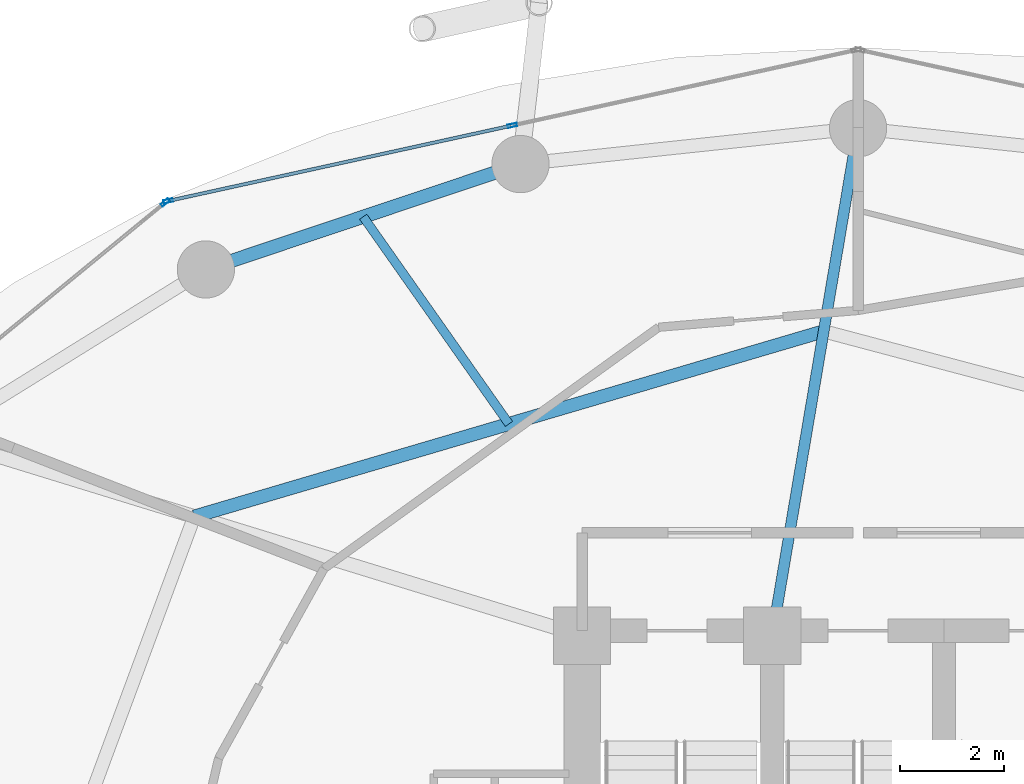
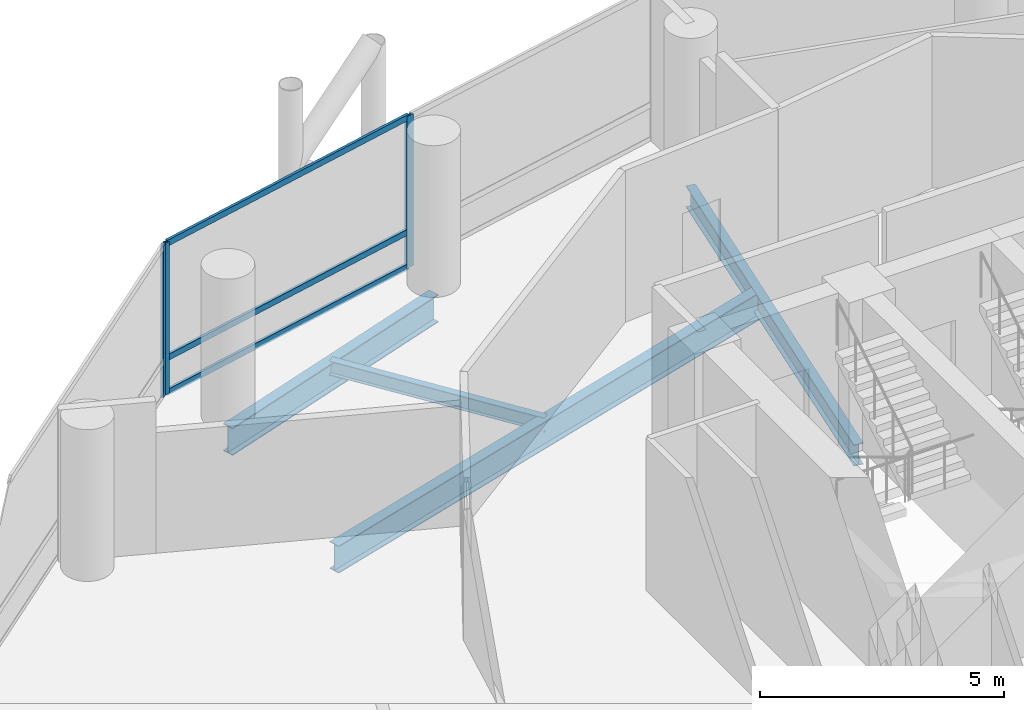
# One storey, part 15 of 24: 6 members, 4 beams, 2 elements without a shape of their own.
"""IFC4 building model written with IfcOpenShell, lengths in metres."""

from ifc_helpers import new_model, si_unit, direction, frame, origin, origin_2d, place, context, subcontext, project, spatial, hollow_rectangle, i_section, extrude, material, layer, layer_set, material_profile, profile_set, type_object, element, aggregate, save


model = new_model("IFC4")

# Units and contexts
model_context = context("Model", 3, precision=1e-05, world=origin(), true_north=direction((0.0, 1.0)))
body_context = subcontext(model_context, "Body", "Model", "MODEL_VIEW")
ifc_project = project(units=[si_unit("LENGTHUNIT", "METRE"), si_unit("AREAUNIT", "SQUARE_METRE"), si_unit("VOLUMEUNIT", "CUBIC_METRE"), si_unit("PLANEANGLEUNIT", "RADIAN"), si_unit("MASSUNIT", "GRAM", prefix="KILO")], contexts=[model_context])

# Site, building, storey
site_placement = place(None, origin())
site = spatial("IfcSite", under=ifc_project, at=site_placement, CompositionType="ELEMENT")
building_placement = place(site_placement, origin())
building = spatial("IfcBuilding", under=site, at=building_placement, Name="Nuhasar Tower", CompositionType="ELEMENT")
storey_placement = place(building_placement, frame((0.0, 0.0, 73.64990234375)))
storey = spatial("IfcBuildingStorey", under=building, at=storey_placement, Name="L17", CompositionType="ELEMENT", Elevation=73.64990234375)

# Beams
ifc_material_1 = material(Name="Steel S355", Category="steel")
ifc_material_profile_1 = material_profile(ifc_material_1, i_section(OverallWidth=0.25390625, OverallDepth=0.68408203125, WebThickness=0.012451171875, FlangeThickness=0.018798828125, at=origin_2d()), Name="W27X94")
ifc_profile_set_1 = profile_set([ifc_material_profile_1], Name="Steel S355")
beam_type_1 = type_object("IfcBeamType", Name="BM-INRING-W27X94", PredefinedType="BEAM", material=ifc_profile_set_1)
beam_1_placement = place(storey_placement, frame((38.340087890625, 43.14990234375, -0.591796875), z_axis=(-0.959290190666, -0.28242225495, 0.0), x_axis=(0.28242225495, -0.959290190666, 0.0)))
element("IfcBeam", 1, at=beam_1_placement, inside=storey, type_object=beam_type_1, Name="L17 Inner Header Beam 06", PredefinedType="BEAM", context=body_context, shape_type="SweptSolid", body=[
    extrude(i_section(OverallWidth=0.25390625, OverallDepth=0.68408203125, WebThickness=0.012451171875, FlangeThickness=0.018798828125, at=origin_2d()), origin(), (0.0, 0.0, 1.0), 12.60107421875),
])
ifc_material_profile_2 = material_profile(ifc_material_1, i_section(OverallWidth=0.1708984375, OverallDepth=0.35205078125, WebThickness=0.0068359375, FlangeThickness=0.009765625, at=origin_2d()), Name="W14X30")
ifc_profile_set_2 = profile_set([ifc_material_profile_2], Name="Steel S355")
beam_type_2 = type_object("IfcBeamType", Name="BM-JST-W14X30", PredefinedType="JOIST", material=ifc_profile_set_2)
beam_2_placement = place(storey_placement, frame((32.2958984375, 41.3701171875, -0.42578125), z_axis=(-0.575461088141, 0.817829160666, 0.0), x_axis=(-0.817829160666, -0.575461088141, 0.0)))
element("IfcBeam", 2, at=beam_2_placement, inside=storey, type_object=beam_type_2, Name="L17 Secondary Floor Joist 06", PredefinedType="JOIST", context=body_context, shape_type="SweptSolid", body=[
    extrude(i_section(OverallWidth=0.1708984375, OverallDepth=0.35205078125, WebThickness=0.0068359375, FlangeThickness=0.009765625, at=origin_2d()), origin(), (0.0, 0.0, 1.0), 4.865234375),
])
ifc_material_profile_3 = material_profile(ifc_material_1, i_section(OverallWidth=0.208984375, OverallDepth=0.532958984375, WebThickness=0.01025390625, FlangeThickness=0.015625, at=origin_2d()), Name="W21X62")
ifc_profile_set_3 = profile_set([ifc_material_profile_3], Name="Steel S355")
beam_type_3 = type_object("IfcBeamType", Name="BM-RAD-W21X62", PredefinedType="BEAM", material=ifc_profile_set_3)
beam_3_placement = place(storey_placement, frame((37.35009765625, 37.300048828125, -0.515869140625), z_axis=(0.166848703013, 0.98598251014, 0.0), x_axis=(-0.98598251014, 0.166848703013, 0.0)))
element("IfcBeam", 3, at=beam_3_placement, inside=storey, type_object=beam_type_3, Name="L17 Radial Floor Girder 06", PredefinedType="BEAM", context=body_context, shape_type="SweptSolid", body=[
    extrude(i_section(OverallWidth=0.208984375, OverallDepth=0.532958984375, WebThickness=0.01025390625, FlangeThickness=0.015625, at=origin_2d()), origin(), (0.0, 0.0, 1.0), 9.888671875),
])
ifc_material_profile_4 = material_profile(ifc_material_1, i_section(OverallWidth=0.256103515625, OverallDepth=0.693115234375, WebThickness=0.014404296875, FlangeThickness=0.023681640625, at=origin_2d()), Name="W27X114")
ifc_profile_set_4 = profile_set([ifc_material_profile_4], Name="Steel S355")
beam_type_4 = type_object("IfcBeamType", Name="BM-RING-W27X114", PredefinedType="SPANDREL", material=ifc_profile_set_4)
beam_4_placement = place(storey_placement, frame((32.51708984375, 46.360107421875, -0.596923828125), z_axis=(-0.948249435708, -0.317526388949, 0.0), x_axis=(0.317526388949, -0.948249435708, 0.0)))
element("IfcBeam", 4, at=beam_4_placement, inside=storey, type_object=beam_type_4, Name="L17 Perimeter Ring Spandrel 08", PredefinedType="SPANDREL", context=body_context, shape_type="SweptSolid", body=[
    extrude(i_section(OverallWidth=0.256103515625, OverallDepth=0.693115234375, WebThickness=0.014404296875, FlangeThickness=0.023681640625, at=origin_2d()), origin(), (0.0, 0.0, 1.0), 6.371826171875),
])

# Curtain wall, members
ifc_material_2 = material(Name="Aluminium 6063-T6", Category="aluminium")
ifc_layer = layer(ifc_material_2, 0.199951171875)
ifc_layer_set = layer_set([ifc_layer], Name="Aluminium 6063-T6")
curtain_wall_type = type_object("IfcCurtainWallType", Name="CW-Z1-OFF", PredefinedType="NOTDEFINED", material=ifc_layer_set)
curtain_wall_1_placement = place(storey_placement, origin())
curtain_wall_1 = element("IfcCurtainWall", 5, at=curtain_wall_1_placement, inside=storey, type_object=curtain_wall_type, Name="L17 Unitised Curtain Wall 04", PredefinedType="NOTDEFINED")
ifc_material_profile_5 = material_profile(ifc_material_2, hollow_rectangle(XDim=0.06494140625, YDim=0.179931640625, WallThickness=0.0048828125, at=origin_2d()), Name="CWM-2")
ifc_profile_set_5 = profile_set([ifc_material_profile_5], Name="Aluminium 6063-T6")
member_type_1 = type_object("IfcMemberType", Name="CW-MUL-S2", PredefinedType="MULLION", material=ifc_profile_set_5)
member_1_placement = place(storey_placement, frame((32.360107421875, 47.1025390625, 0.0), z_axis=(0.0, 0.0, 1.0), x_axis=(0.214398737637, -0.976746221544, 0.0)))
member_1 = element("IfcMember", 6, at=member_1_placement, type_object=member_type_1, Name="CW-Z1 mullion 2", PredefinedType="MULLION", context=body_context, shape_type="SweptSolid", body=[
    extrude(hollow_rectangle(XDim=0.06494140625, YDim=0.179931640625, WallThickness=0.0048828125, at=origin_2d()), origin(), (0.0, 0.0, 1.0), 3.800048828125),
])
member_2_placement = place(storey_placement, frame((25.751708984375, 45.65185546875, 0.0), z_axis=(0.0, 0.0, 1.0), x_axis=(0.214398737637, -0.976746221544, 0.0)))
member_2 = element("IfcMember", 7, at=member_2_placement, type_object=member_type_1, Name="CW-Z1 mullion 3", PredefinedType="MULLION", context=body_context, shape_type="SweptSolid", body=[
    extrude(hollow_rectangle(XDim=0.06494140625, YDim=0.179931640625, WallThickness=0.0048828125, at=origin_2d()), origin(), (0.0, 0.0, 1.0), 3.800048828125),
])

# Curtain wall, member
curtain_wall_2_placement = place(storey_placement, origin())
curtain_wall_2 = element("IfcCurtainWall", 8, at=curtain_wall_2_placement, inside=storey, type_object=curtain_wall_type, Name="L17 Unitised Curtain Wall 05", PredefinedType="NOTDEFINED")
member_3_placement = place(storey_placement, frame((25.69482421875, 45.62451171875, 0.0), z_axis=(0.0, 0.0, 1.0), x_axis=(0.633744593376, -0.773542364946, 0.0)))
member_3 = element("IfcMember", 9, at=member_3_placement, type_object=member_type_1, Name="CW-Z1 mullion 1", PredefinedType="MULLION", context=body_context, shape_type="SweptSolid", body=[
    extrude(hollow_rectangle(XDim=0.06494140625, YDim=0.179931640625, WallThickness=0.0048828125, at=origin_2d()), origin(), (0.0, 0.0, 1.0), 3.800048828125),
])
aggregate(curtain_wall_2, [member_3])

# Member
ifc_material_profile_6 = material_profile(ifc_material_2, hollow_rectangle(XDim=0.06494140625, YDim=0.14990234375, WallThickness=0.00439453125, at=origin_2d()), Name="CWT-2")
ifc_profile_set_6 = profile_set([ifc_material_profile_6], Name="Aluminium 6063-T6")
member_type_2 = type_object("IfcMemberType", Name="CW-TRN-S2", PredefinedType="USERDEFINED", material=ifc_profile_set_6)
member_4_placement = place(storey_placement, frame((32.328369140625, 47.095458984375, 0.03271484375), z_axis=(-0.976749553792, -0.214383556196, 0.0), x_axis=(0.214383556196, -0.976749553792, 0.0)))
member_4 = element("IfcMember", 10, at=member_4_placement, type_object=member_type_2, Name="CW-Z1 transom 2.1", ObjectType="TRANSOM", PredefinedType="USERDEFINED", context=body_context, shape_type="SweptSolid", body=[
    extrude(hollow_rectangle(XDim=0.06494140625, YDim=0.14990234375, WallThickness=0.00439453125, at=origin_2d()), origin(), (0.0, 0.0, 1.0), 6.70068359375),
])

member_5_placement = place(storey_placement, frame((32.328369140625, 47.095458984375, 0.900146484375), z_axis=(-0.976749553792, -0.214383556196, 0.0), x_axis=(0.214383556196, -0.976749553792, 0.0)))
member_5 = element("IfcMember", 11, at=member_5_placement, type_object=member_type_2, Name="CW-Z1 transom 2.2", ObjectType="TRANSOM", PredefinedType="USERDEFINED", context=body_context, shape_type="SweptSolid", body=[
    extrude(hollow_rectangle(XDim=0.06494140625, YDim=0.14990234375, WallThickness=0.00439453125, at=origin_2d()), origin(), (0.0, 0.0, 1.0), 6.70068359375),
])

member_6_placement = place(storey_placement, frame((32.328369140625, 47.095458984375, 3.767578125), z_axis=(-0.976749553792, -0.214383556196, 0.0), x_axis=(0.214383556196, -0.976749553792, 0.0)))
member_6 = element("IfcMember", 12, at=member_6_placement, type_object=member_type_2, Name="CW-Z1 transom 2.3", ObjectType="TRANSOM", PredefinedType="USERDEFINED", context=body_context, shape_type="SweptSolid", body=[
    extrude(hollow_rectangle(XDim=0.06494140625, YDim=0.14990234375, WallThickness=0.00439453125, at=origin_2d()), origin(), (0.0, 0.0, 1.0), 6.70068359375),
])

aggregate(curtain_wall_1, [member_1, member_2, member_4, member_5, member_6])

save(model, "model.ifc")
